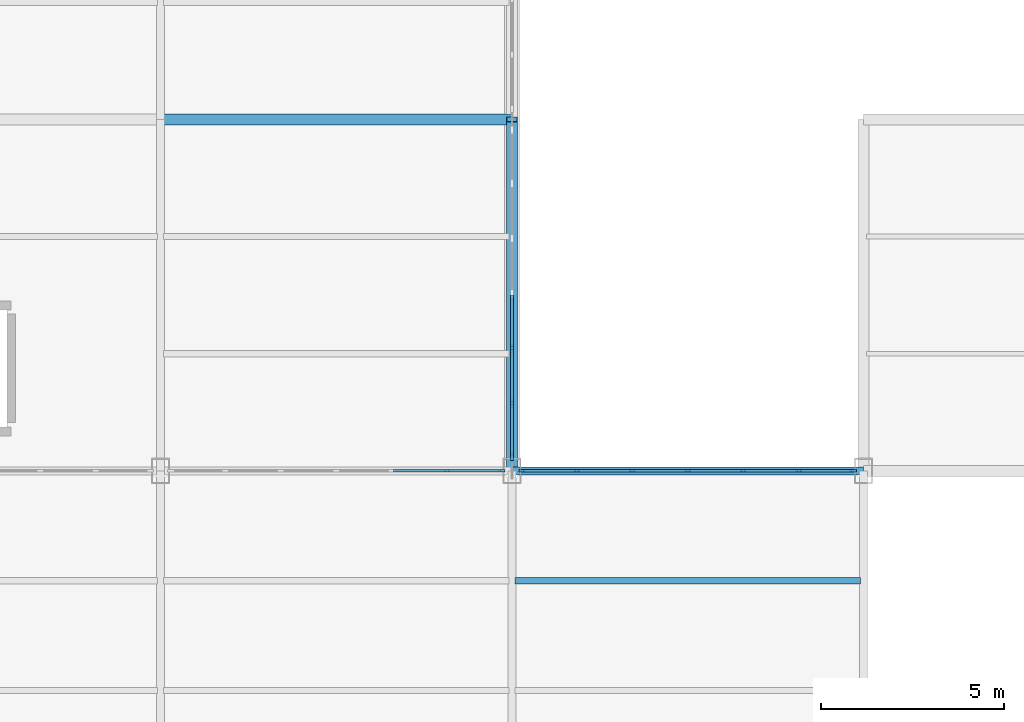
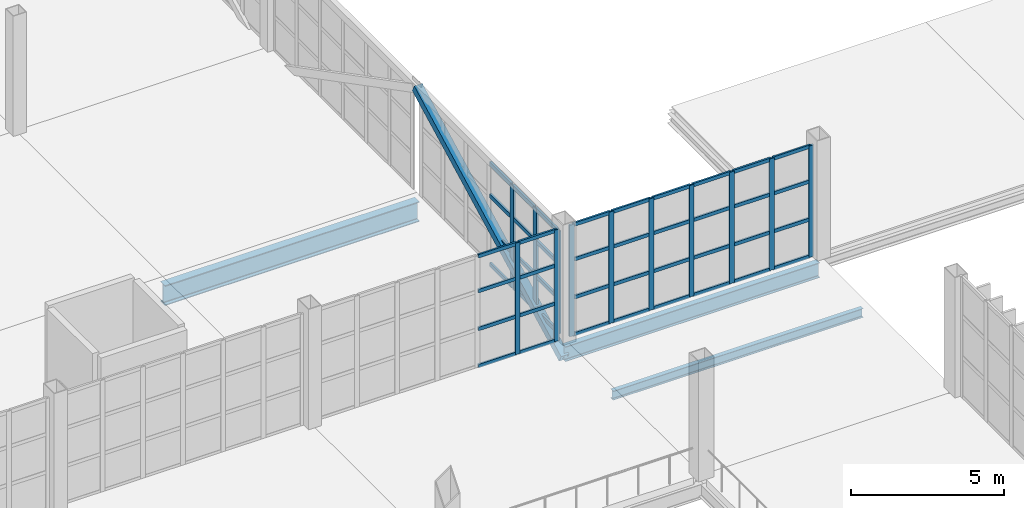
# One storey, part 47 of 120: 57 members, 3 beams, 3 elements without a shape of their own.
"""IFC4 building model written with IfcOpenShell, lengths in metres."""

from ifc_helpers import new_model, si_unit, direction, frame, origin, origin_2d, place, context, subcontext, project, spatial, rectangle, hollow_rectangle, i_section, extrude, material, layer, layer_set, material_profile, profile_set, type_object, element, aggregate, save


model = new_model("IFC4")

# Units and contexts
model_context = context("Model", 3, precision=1e-05, world=origin(), true_north=direction((0.0, 1.0)))
body_context = subcontext(model_context, "Body", "Model", "MODEL_VIEW")
ifc_project = project(units=[si_unit("LENGTHUNIT", "METRE"), si_unit("AREAUNIT", "SQUARE_METRE"), si_unit("VOLUMEUNIT", "CUBIC_METRE"), si_unit("PLANEANGLEUNIT", "RADIAN"), si_unit("MASSUNIT", "GRAM", prefix="KILO")], contexts=[model_context])

# Site, building, storey
site_placement = place(None, origin())
site = spatial("IfcSite", under=ifc_project, at=site_placement, CompositionType="ELEMENT")
building_placement = place(site_placement, origin())
building = spatial("IfcBuilding", under=site, at=building_placement, Name="Zarnetskaya Central Station", CompositionType="ELEMENT")
storey_placement = place(building_placement, frame((0.0, 0.0, 5.39990234375)))
storey = spatial("IfcBuildingStorey", under=building, at=storey_placement, Name="L01", CompositionType="ELEMENT", Elevation=5.39990234375)

# Beam
ifc_material_1 = material(Name="Steel S355", Category="steel")
ifc_material_profile_1 = material_profile(ifc_material_1, i_section(OverallWidth=0.169921875, OverallDepth=0.360107421875, WebThickness=0.008056640625, FlangeThickness=0.0126953125, FilletRadius=0.01806640625, at=origin_2d()), Name="IPE 360")
ifc_profile_set_1 = profile_set([ifc_material_profile_1], Name="Steel S355")
beam_type_1 = type_object("IfcBeamType", Name="BM-SEC-360", PredefinedType="BEAM", material=ifc_profile_set_1)
beam_1_placement = place(storey_placement, frame((115.280029296875, 64.199951171875, -0.4599609375), z_axis=(1.0, 0.0, 0.0), x_axis=(0.0, 1.0, 0.0)))
element("IfcBeam", 1, at=beam_1_placement, inside=storey, type_object=beam_type_1, Name="Secondary floor beam SEC-L01-Z512-NP-89-2", PredefinedType="BEAM", context=body_context, shape_type="SweptSolid", body=[
    extrude(i_section(OverallWidth=0.169921875, OverallDepth=0.360107421875, WebThickness=0.008056640625, FlangeThickness=0.0126953125, FilletRadius=0.01806640625, at=origin_2d()), origin(), (0.0, 0.0, 1.0), 9.43994140625),
])

# Curtain wall, members
ifc_material_2 = material(Name="Low-E insulated glass", Category="glass")
ifc_layer_1 = layer(ifc_material_2, 0.159912109375, Name="Low-E insulated glass", Category="glass")
ifc_layer_set_1 = layer_set([ifc_layer_1], Name="Low-E insulated glass")
curtain_wall_type_1 = type_object("IfcCurtainWallType", Name="CW-SYS-16", PredefinedType="USERDEFINED", material=ifc_layer_set_1)
curtain_wall_1_placement = place(storey_placement, origin())
curtain_wall_1 = element("IfcCurtainWall", 2, at=curtain_wall_1_placement, inside=storey, type_object=curtain_wall_type_1, Name="Curtain wall CW-L01-085", ObjectType="CURTAIN WALL", PredefinedType="USERDEFINED")
ifc_material_3 = material(Name="Anodised aluminium", Category="aluminium")
ifc_material_profile_2 = material_profile(ifc_material_3, rectangle(XDim=0.070068359375, YDim=0.179931640625, at=origin_2d()), Name="ALU MULL 70x180")
ifc_profile_set_2 = profile_set([ifc_material_profile_2], Name="Anodised aluminium")
member_type_1 = type_object("IfcMemberType", Name="CW-MULL-180", PredefinedType="MULLION", material=ifc_profile_set_2)
member_1_placement = place(storey_placement, frame((113.433349609375, 67.199951171875, 0.0), z_axis=(0.0, 0.0, 1.0), x_axis=(0.0, 1.0, 0.0)))
member_1 = element("IfcMember", 3, at=member_1_placement, type_object=member_type_1, Name="CW-11 mullion 6", PredefinedType="MULLION", context=body_context, shape_type="SweptSolid", body=[
    extrude(rectangle(XDim=0.070068359375, YDim=0.179931640625, at=origin_2d()), origin(), (0.0, 0.0, 1.0), 4.4501953125),
])
member_2_placement = place(storey_placement, frame((114.9150390625, 67.199951171875, 0.0), z_axis=(0.0, 0.0, 1.0), x_axis=(0.0, 1.0, 0.0)))
member_2 = element("IfcMember", 4, at=member_2_placement, type_object=member_type_1, Name="CW-11 mullion 7", PredefinedType="MULLION", context=body_context, shape_type="SweptSolid", body=[
    extrude(rectangle(XDim=0.070068359375, YDim=0.179931640625, at=origin_2d()), origin(), (0.0, 0.0, 1.0), 4.4501953125),
])

ifc_layer_2 = layer(ifc_material_2, 0.1640625, Name="Low-E insulated glass", Category="glass")
ifc_layer_set_2 = layer_set([ifc_layer_2], Name="Low-E insulated glass")
curtain_wall_type_2 = type_object("IfcCurtainWallType", Name="CW-SYS-17", PredefinedType="USERDEFINED", material=ifc_layer_set_2)
curtain_wall_2_placement = place(storey_placement, origin())
curtain_wall_2 = element("IfcCurtainWall", 5, at=curtain_wall_2_placement, inside=storey, type_object=curtain_wall_type_2, Name="Curtain wall CW-L01-087", ObjectType="CURTAIN WALL", PredefinedType="USERDEFINED")
member_3_placement = place(storey_placement, frame((115.485107421875, 67.199951171875, 0.0), z_axis=(0.0, 0.0, 1.0), x_axis=(0.0, 1.0, 0.0)))
member_3 = element("IfcMember", 6, at=member_3_placement, type_object=member_type_1, Name="CW-03 mullion 1", PredefinedType="MULLION", context=body_context, shape_type="SweptSolid", body=[
    extrude(rectangle(XDim=0.070068359375, YDim=0.179931640625, at=origin_2d()), origin(), (0.0, 0.0, 1.0), 4.4501953125),
])
member_4_placement = place(storey_placement, frame((116.966552734375, 67.199951171875, 0.0), z_axis=(0.0, 0.0, 1.0), x_axis=(0.0, 1.0, 0.0)))
member_4 = element("IfcMember", 7, at=member_4_placement, type_object=member_type_1, Name="CW-03 mullion 2", PredefinedType="MULLION", context=body_context, shape_type="SweptSolid", body=[
    extrude(rectangle(XDim=0.070068359375, YDim=0.179931640625, at=origin_2d()), origin(), (0.0, 0.0, 1.0), 4.4501953125),
])
member_5_placement = place(storey_placement, frame((118.4833984375, 67.199951171875, 0.0), z_axis=(0.0, 0.0, 1.0), x_axis=(0.0, 1.0, 0.0)))
member_5 = element("IfcMember", 8, at=member_5_placement, type_object=member_type_1, Name="CW-03 mullion 3", PredefinedType="MULLION", context=body_context, shape_type="SweptSolid", body=[
    extrude(rectangle(XDim=0.070068359375, YDim=0.179931640625, at=origin_2d()), origin(), (0.0, 0.0, 1.0), 4.4501953125),
])
member_6_placement = place(storey_placement, frame((120.0, 67.199951171875, 0.0), z_axis=(0.0, 0.0, 1.0), x_axis=(0.0, 1.0, 0.0)))
member_6 = element("IfcMember", 9, at=member_6_placement, type_object=member_type_1, Name="CW-03 mullion 4", PredefinedType="MULLION", context=body_context, shape_type="SweptSolid", body=[
    extrude(rectangle(XDim=0.070068359375, YDim=0.179931640625, at=origin_2d()), origin(), (0.0, 0.0, 1.0), 4.4501953125),
])
member_7_placement = place(storey_placement, frame((121.5166015625, 67.199951171875, 0.0), z_axis=(0.0, 0.0, 1.0), x_axis=(0.0, 1.0, 0.0)))
member_7 = element("IfcMember", 10, at=member_7_placement, type_object=member_type_1, Name="CW-03 mullion 5", PredefinedType="MULLION", context=body_context, shape_type="SweptSolid", body=[
    extrude(rectangle(XDim=0.070068359375, YDim=0.179931640625, at=origin_2d()), origin(), (0.0, 0.0, 1.0), 4.4501953125),
])
member_8_placement = place(storey_placement, frame((123.033447265625, 67.199951171875, 0.0), z_axis=(0.0, 0.0, 1.0), x_axis=(0.0, 1.0, 0.0)))
member_8 = element("IfcMember", 11, at=member_8_placement, type_object=member_type_1, Name="CW-03 mullion 6", PredefinedType="MULLION", context=body_context, shape_type="SweptSolid", body=[
    extrude(rectangle(XDim=0.070068359375, YDim=0.179931640625, at=origin_2d()), origin(), (0.0, 0.0, 1.0), 4.4501953125),
])
member_9_placement = place(storey_placement, frame((124.514892578125, 67.199951171875, 0.0), z_axis=(0.0, 0.0, 1.0), x_axis=(0.0, 1.0, 0.0)))
member_9 = element("IfcMember", 12, at=member_9_placement, type_object=member_type_1, Name="CW-03 mullion 7", PredefinedType="MULLION", context=body_context, shape_type="SweptSolid", body=[
    extrude(rectangle(XDim=0.070068359375, YDim=0.179931640625, at=origin_2d()), origin(), (0.0, 0.0, 1.0), 4.4501953125),
])

ifc_layer_3 = layer(ifc_material_2, 0.172119140625, Name="Low-E insulated glass", Category="glass")
ifc_layer_set_3 = layer_set([ifc_layer_3], Name="Low-E insulated glass")
curtain_wall_type_3 = type_object("IfcCurtainWallType", Name="CW-SYS-09", PredefinedType="USERDEFINED", material=ifc_layer_set_3)
curtain_wall_3_placement = place(storey_placement, origin())
curtain_wall_3 = element("IfcCurtainWall", 13, at=curtain_wall_3_placement, inside=storey, type_object=curtain_wall_type_3, Name="Curtain wall CW-L01-162", ObjectType="CURTAIN WALL", PredefinedType="USERDEFINED")
ifc_material_profile_3 = material_profile(ifc_material_3, rectangle(XDim=0.080078125, YDim=0.219970703125, at=origin_2d()), Name="ALU MULL 80x220")
ifc_profile_set_3 = profile_set([ifc_material_profile_3], Name="Anodised aluminium")
member_type_2 = type_object("IfcMemberType", Name="CW-MULL-220", PredefinedType="MULLION", material=ifc_profile_set_3)
member_10_placement = place(storey_placement, frame((115.199951171875, 70.550048828125, 0.0), z_axis=(0.0, 0.0, 1.0), x_axis=(1.0, 0.0, 0.0)))
member_10 = element("IfcMember", 14, at=member_10_placement, type_object=member_type_2, Name="CW-07 mullion 5", PredefinedType="MULLION", context=body_context, shape_type="SweptSolid", body=[
    extrude(rectangle(XDim=0.080078125, YDim=0.219970703125, at=origin_2d()), origin(), (0.0, 0.0, 1.0), 4.10009765625),
])
member_11_placement = place(storey_placement, frame((115.199951171875, 69.050048828125, 0.0), z_axis=(0.0, 0.0, 1.0), x_axis=(1.0, 0.0, 0.0)))
member_11 = element("IfcMember", 15, at=member_11_placement, type_object=member_type_2, Name="CW-07 mullion 6", PredefinedType="MULLION", context=body_context, shape_type="SweptSolid", body=[
    extrude(rectangle(XDim=0.080078125, YDim=0.219970703125, at=origin_2d()), origin(), (0.0, 0.0, 1.0), 4.10009765625),
])
member_12_placement = place(storey_placement, frame((115.199951171875, 67.590087890625, 0.0), z_axis=(0.0, 0.0, 1.0), x_axis=(1.0, 0.0, 0.0)))
member_12 = element("IfcMember", 16, at=member_12_placement, type_object=member_type_2, Name="CW-07 mullion 7", PredefinedType="MULLION", context=body_context, shape_type="SweptSolid", body=[
    extrude(rectangle(XDim=0.080078125, YDim=0.219970703125, at=origin_2d()), origin(), (0.0, 0.0, 1.0), 4.10009765625),
])

# Member
ifc_material_profile_4 = material_profile(ifc_material_3, rectangle(XDim=0.070068359375, YDim=0.139892578125, at=origin_2d()), Name="ALU TRAN 70x140")
ifc_profile_set_4 = profile_set([ifc_material_profile_4], Name="Anodised aluminium")
member_type_3 = type_object("IfcMemberType", Name="CW-TRAN-140", PredefinedType="USERDEFINED", material=ifc_profile_set_4)
member_13_placement = place(storey_placement, frame((111.95166015625, 67.199951171875, 0.03515625), z_axis=(1.0, 0.0, 0.0), x_axis=(0.0, 1.0, 0.0)))
member_13 = element("IfcMember", 17, at=member_13_placement, type_object=member_type_3, Name="CW-11 transom 5.1", ObjectType="TRANSOM", PredefinedType="USERDEFINED", context=body_context, shape_type="SweptSolid", body=[
    extrude(rectangle(XDim=0.070068359375, YDim=0.139892578125, at=origin_2d()), origin(), (0.0, 0.0, 1.0), 1.44677734375),
])

member_14_placement = place(storey_placement, frame((111.95166015625, 67.199951171875, 1.51318359375), z_axis=(1.0, 0.0, 0.0), x_axis=(0.0, 1.0, 0.0)))
member_14 = element("IfcMember", 18, at=member_14_placement, type_object=member_type_3, Name="CW-11 transom 5.2", ObjectType="TRANSOM", PredefinedType="USERDEFINED", context=body_context, shape_type="SweptSolid", body=[
    extrude(rectangle(XDim=0.070068359375, YDim=0.139892578125, at=origin_2d()), origin(), (0.0, 0.0, 1.0), 1.44677734375),
])

member_15_placement = place(storey_placement, frame((111.95166015625, 67.199951171875, 3.026123046875), z_axis=(1.0, 0.0, 0.0), x_axis=(0.0, 1.0, 0.0)))
member_15 = element("IfcMember", 19, at=member_15_placement, type_object=member_type_3, Name="CW-11 transom 5.3", ObjectType="TRANSOM", PredefinedType="USERDEFINED", context=body_context, shape_type="SweptSolid", body=[
    extrude(rectangle(XDim=0.070068359375, YDim=0.139892578125, at=origin_2d()), origin(), (0.0, 0.0, 1.0), 1.44677734375),
])

member_16_placement = place(storey_placement, frame((111.95166015625, 67.199951171875, 4.4150390625), z_axis=(1.0, 0.0, 0.0), x_axis=(0.0, 1.0, 0.0)))
member_16 = element("IfcMember", 20, at=member_16_placement, type_object=member_type_3, Name="CW-11 transom 5.4", ObjectType="TRANSOM", PredefinedType="USERDEFINED", context=body_context, shape_type="SweptSolid", body=[
    extrude(rectangle(XDim=0.070068359375, YDim=0.139892578125, at=origin_2d()), origin(), (0.0, 0.0, 1.0), 1.44677734375),
])

member_17_placement = place(storey_placement, frame((113.46826171875, 67.199951171875, 0.03515625), z_axis=(1.0, 0.0, 0.0), x_axis=(0.0, 1.0, 0.0)))
member_17 = element("IfcMember", 21, at=member_17_placement, type_object=member_type_3, Name="CW-11 transom 6.1", ObjectType="TRANSOM", PredefinedType="USERDEFINED", context=body_context, shape_type="SweptSolid", body=[
    extrude(rectangle(XDim=0.070068359375, YDim=0.139892578125, at=origin_2d()), origin(), (0.0, 0.0, 1.0), 1.41162109375),
])

member_18_placement = place(storey_placement, frame((113.46826171875, 67.199951171875, 1.51318359375), z_axis=(1.0, 0.0, 0.0), x_axis=(0.0, 1.0, 0.0)))
member_18 = element("IfcMember", 22, at=member_18_placement, type_object=member_type_3, Name="CW-11 transom 6.2", ObjectType="TRANSOM", PredefinedType="USERDEFINED", context=body_context, shape_type="SweptSolid", body=[
    extrude(rectangle(XDim=0.070068359375, YDim=0.139892578125, at=origin_2d()), origin(), (0.0, 0.0, 1.0), 1.41162109375),
])

member_19_placement = place(storey_placement, frame((113.46826171875, 67.199951171875, 3.026123046875), z_axis=(1.0, 0.0, 0.0), x_axis=(0.0, 1.0, 0.0)))
member_19 = element("IfcMember", 23, at=member_19_placement, type_object=member_type_3, Name="CW-11 transom 6.3", ObjectType="TRANSOM", PredefinedType="USERDEFINED", context=body_context, shape_type="SweptSolid", body=[
    extrude(rectangle(XDim=0.070068359375, YDim=0.139892578125, at=origin_2d()), origin(), (0.0, 0.0, 1.0), 1.41162109375),
])

member_20_placement = place(storey_placement, frame((113.46826171875, 67.199951171875, 4.4150390625), z_axis=(1.0, 0.0, 0.0), x_axis=(0.0, 1.0, 0.0)))
member_20 = element("IfcMember", 24, at=member_20_placement, type_object=member_type_3, Name="CW-11 transom 6.4", ObjectType="TRANSOM", PredefinedType="USERDEFINED", context=body_context, shape_type="SweptSolid", body=[
    extrude(rectangle(XDim=0.070068359375, YDim=0.139892578125, at=origin_2d()), origin(), (0.0, 0.0, 1.0), 1.41162109375),
])

aggregate(curtain_wall_1, [member_1, member_2, member_13, member_14, member_15, member_16, member_17, member_18, member_19, member_20])

member_21_placement = place(storey_placement, frame((115.52001953125, 67.199951171875, 0.03515625), z_axis=(1.0, 0.0, 0.0), x_axis=(0.0, 1.0, 0.0)))
member_21 = element("IfcMember", 25, at=member_21_placement, type_object=member_type_3, Name="CW-03 transom 1.1", ObjectType="TRANSOM", PredefinedType="USERDEFINED", context=body_context, shape_type="SweptSolid", body=[
    extrude(rectangle(XDim=0.070068359375, YDim=0.139892578125, at=origin_2d()), origin(), (0.0, 0.0, 1.0), 1.41162109375),
])

member_22_placement = place(storey_placement, frame((115.52001953125, 67.199951171875, 1.51318359375), z_axis=(1.0, 0.0, 0.0), x_axis=(0.0, 1.0, 0.0)))
member_22 = element("IfcMember", 26, at=member_22_placement, type_object=member_type_3, Name="CW-03 transom 1.2", ObjectType="TRANSOM", PredefinedType="USERDEFINED", context=body_context, shape_type="SweptSolid", body=[
    extrude(rectangle(XDim=0.070068359375, YDim=0.139892578125, at=origin_2d()), origin(), (0.0, 0.0, 1.0), 1.41162109375),
])

member_23_placement = place(storey_placement, frame((115.52001953125, 67.199951171875, 3.026123046875), z_axis=(1.0, 0.0, 0.0), x_axis=(0.0, 1.0, 0.0)))
member_23 = element("IfcMember", 27, at=member_23_placement, type_object=member_type_3, Name="CW-03 transom 1.3", ObjectType="TRANSOM", PredefinedType="USERDEFINED", context=body_context, shape_type="SweptSolid", body=[
    extrude(rectangle(XDim=0.070068359375, YDim=0.139892578125, at=origin_2d()), origin(), (0.0, 0.0, 1.0), 1.41162109375),
])

member_24_placement = place(storey_placement, frame((115.52001953125, 67.199951171875, 4.4150390625), z_axis=(1.0, 0.0, 0.0), x_axis=(0.0, 1.0, 0.0)))
member_24 = element("IfcMember", 28, at=member_24_placement, type_object=member_type_3, Name="CW-03 transom 1.4", ObjectType="TRANSOM", PredefinedType="USERDEFINED", context=body_context, shape_type="SweptSolid", body=[
    extrude(rectangle(XDim=0.070068359375, YDim=0.139892578125, at=origin_2d()), origin(), (0.0, 0.0, 1.0), 1.41162109375),
])

member_25_placement = place(storey_placement, frame((117.001708984375, 67.199951171875, 0.03515625), z_axis=(1.0, 0.0, 0.0), x_axis=(0.0, 1.0, 0.0)))
member_25 = element("IfcMember", 29, at=member_25_placement, type_object=member_type_3, Name="CW-03 transom 2.1", ObjectType="TRANSOM", PredefinedType="USERDEFINED", context=body_context, shape_type="SweptSolid", body=[
    extrude(rectangle(XDim=0.070068359375, YDim=0.139892578125, at=origin_2d()), origin(), (0.0, 0.0, 1.0), 1.446533203125),
])

member_26_placement = place(storey_placement, frame((117.001708984375, 67.199951171875, 1.51318359375), z_axis=(1.0, 0.0, 0.0), x_axis=(0.0, 1.0, 0.0)))
member_26 = element("IfcMember", 30, at=member_26_placement, type_object=member_type_3, Name="CW-03 transom 2.2", ObjectType="TRANSOM", PredefinedType="USERDEFINED", context=body_context, shape_type="SweptSolid", body=[
    extrude(rectangle(XDim=0.070068359375, YDim=0.139892578125, at=origin_2d()), origin(), (0.0, 0.0, 1.0), 1.446533203125),
])

member_27_placement = place(storey_placement, frame((117.001708984375, 67.199951171875, 3.026123046875), z_axis=(1.0, 0.0, 0.0), x_axis=(0.0, 1.0, 0.0)))
member_27 = element("IfcMember", 31, at=member_27_placement, type_object=member_type_3, Name="CW-03 transom 2.3", ObjectType="TRANSOM", PredefinedType="USERDEFINED", context=body_context, shape_type="SweptSolid", body=[
    extrude(rectangle(XDim=0.070068359375, YDim=0.139892578125, at=origin_2d()), origin(), (0.0, 0.0, 1.0), 1.446533203125),
])

member_28_placement = place(storey_placement, frame((117.001708984375, 67.199951171875, 4.4150390625), z_axis=(1.0, 0.0, 0.0), x_axis=(0.0, 1.0, 0.0)))
member_28 = element("IfcMember", 32, at=member_28_placement, type_object=member_type_3, Name="CW-03 transom 2.4", ObjectType="TRANSOM", PredefinedType="USERDEFINED", context=body_context, shape_type="SweptSolid", body=[
    extrude(rectangle(XDim=0.070068359375, YDim=0.139892578125, at=origin_2d()), origin(), (0.0, 0.0, 1.0), 1.446533203125),
])

member_29_placement = place(storey_placement, frame((118.518310546875, 67.199951171875, 0.03515625), z_axis=(1.0, 0.0, 0.0), x_axis=(0.0, 1.0, 0.0)))
member_29 = element("IfcMember", 33, at=member_29_placement, type_object=member_type_3, Name="CW-03 transom 3.1", ObjectType="TRANSOM", PredefinedType="USERDEFINED", context=body_context, shape_type="SweptSolid", body=[
    extrude(rectangle(XDim=0.070068359375, YDim=0.139892578125, at=origin_2d()), origin(), (0.0, 0.0, 1.0), 1.44677734375),
])

member_30_placement = place(storey_placement, frame((118.518310546875, 67.199951171875, 1.51318359375), z_axis=(1.0, 0.0, 0.0), x_axis=(0.0, 1.0, 0.0)))
member_30 = element("IfcMember", 34, at=member_30_placement, type_object=member_type_3, Name="CW-03 transom 3.2", ObjectType="TRANSOM", PredefinedType="USERDEFINED", context=body_context, shape_type="SweptSolid", body=[
    extrude(rectangle(XDim=0.070068359375, YDim=0.139892578125, at=origin_2d()), origin(), (0.0, 0.0, 1.0), 1.44677734375),
])

member_31_placement = place(storey_placement, frame((118.518310546875, 67.199951171875, 3.026123046875), z_axis=(1.0, 0.0, 0.0), x_axis=(0.0, 1.0, 0.0)))
member_31 = element("IfcMember", 35, at=member_31_placement, type_object=member_type_3, Name="CW-03 transom 3.3", ObjectType="TRANSOM", PredefinedType="USERDEFINED", context=body_context, shape_type="SweptSolid", body=[
    extrude(rectangle(XDim=0.070068359375, YDim=0.139892578125, at=origin_2d()), origin(), (0.0, 0.0, 1.0), 1.44677734375),
])

member_32_placement = place(storey_placement, frame((118.518310546875, 67.199951171875, 4.4150390625), z_axis=(1.0, 0.0, 0.0), x_axis=(0.0, 1.0, 0.0)))
member_32 = element("IfcMember", 36, at=member_32_placement, type_object=member_type_3, Name="CW-03 transom 3.4", ObjectType="TRANSOM", PredefinedType="USERDEFINED", context=body_context, shape_type="SweptSolid", body=[
    extrude(rectangle(XDim=0.070068359375, YDim=0.139892578125, at=origin_2d()), origin(), (0.0, 0.0, 1.0), 1.44677734375),
])

member_33_placement = place(storey_placement, frame((120.034912109375, 67.199951171875, 0.03515625), z_axis=(1.0, 0.0, 0.0), x_axis=(0.0, 1.0, 0.0)))
member_33 = element("IfcMember", 37, at=member_33_placement, type_object=member_type_3, Name="CW-03 transom 4.1", ObjectType="TRANSOM", PredefinedType="USERDEFINED", context=body_context, shape_type="SweptSolid", body=[
    extrude(rectangle(XDim=0.070068359375, YDim=0.139892578125, at=origin_2d()), origin(), (0.0, 0.0, 1.0), 1.44677734375),
])

member_34_placement = place(storey_placement, frame((120.034912109375, 67.199951171875, 1.51318359375), z_axis=(1.0, 0.0, 0.0), x_axis=(0.0, 1.0, 0.0)))
member_34 = element("IfcMember", 38, at=member_34_placement, type_object=member_type_3, Name="CW-03 transom 4.2", ObjectType="TRANSOM", PredefinedType="USERDEFINED", context=body_context, shape_type="SweptSolid", body=[
    extrude(rectangle(XDim=0.070068359375, YDim=0.139892578125, at=origin_2d()), origin(), (0.0, 0.0, 1.0), 1.44677734375),
])

member_35_placement = place(storey_placement, frame((120.034912109375, 67.199951171875, 3.026123046875), z_axis=(1.0, 0.0, 0.0), x_axis=(0.0, 1.0, 0.0)))
member_35 = element("IfcMember", 39, at=member_35_placement, type_object=member_type_3, Name="CW-03 transom 4.3", ObjectType="TRANSOM", PredefinedType="USERDEFINED", context=body_context, shape_type="SweptSolid", body=[
    extrude(rectangle(XDim=0.070068359375, YDim=0.139892578125, at=origin_2d()), origin(), (0.0, 0.0, 1.0), 1.44677734375),
])

member_36_placement = place(storey_placement, frame((120.034912109375, 67.199951171875, 4.4150390625), z_axis=(1.0, 0.0, 0.0), x_axis=(0.0, 1.0, 0.0)))
member_36 = element("IfcMember", 40, at=member_36_placement, type_object=member_type_3, Name="CW-03 transom 4.4", ObjectType="TRANSOM", PredefinedType="USERDEFINED", context=body_context, shape_type="SweptSolid", body=[
    extrude(rectangle(XDim=0.070068359375, YDim=0.139892578125, at=origin_2d()), origin(), (0.0, 0.0, 1.0), 1.44677734375),
])

member_37_placement = place(storey_placement, frame((121.5517578125, 67.199951171875, 0.03515625), z_axis=(1.0, 0.0, 0.0), x_axis=(0.0, 1.0, 0.0)))
member_37 = element("IfcMember", 41, at=member_37_placement, type_object=member_type_3, Name="CW-03 transom 5.1", ObjectType="TRANSOM", PredefinedType="USERDEFINED", context=body_context, shape_type="SweptSolid", body=[
    extrude(rectangle(XDim=0.070068359375, YDim=0.139892578125, at=origin_2d()), origin(), (0.0, 0.0, 1.0), 1.446533203125),
])

member_38_placement = place(storey_placement, frame((121.5517578125, 67.199951171875, 1.51318359375), z_axis=(1.0, 0.0, 0.0), x_axis=(0.0, 1.0, 0.0)))
member_38 = element("IfcMember", 42, at=member_38_placement, type_object=member_type_3, Name="CW-03 transom 5.2", ObjectType="TRANSOM", PredefinedType="USERDEFINED", context=body_context, shape_type="SweptSolid", body=[
    extrude(rectangle(XDim=0.070068359375, YDim=0.139892578125, at=origin_2d()), origin(), (0.0, 0.0, 1.0), 1.446533203125),
])

member_39_placement = place(storey_placement, frame((121.5517578125, 67.199951171875, 3.026123046875), z_axis=(1.0, 0.0, 0.0), x_axis=(0.0, 1.0, 0.0)))
member_39 = element("IfcMember", 43, at=member_39_placement, type_object=member_type_3, Name="CW-03 transom 5.3", ObjectType="TRANSOM", PredefinedType="USERDEFINED", context=body_context, shape_type="SweptSolid", body=[
    extrude(rectangle(XDim=0.070068359375, YDim=0.139892578125, at=origin_2d()), origin(), (0.0, 0.0, 1.0), 1.446533203125),
])

member_40_placement = place(storey_placement, frame((121.5517578125, 67.199951171875, 4.4150390625), z_axis=(1.0, 0.0, 0.0), x_axis=(0.0, 1.0, 0.0)))
member_40 = element("IfcMember", 44, at=member_40_placement, type_object=member_type_3, Name="CW-03 transom 5.4", ObjectType="TRANSOM", PredefinedType="USERDEFINED", context=body_context, shape_type="SweptSolid", body=[
    extrude(rectangle(XDim=0.070068359375, YDim=0.139892578125, at=origin_2d()), origin(), (0.0, 0.0, 1.0), 1.446533203125),
])

member_41_placement = place(storey_placement, frame((123.068359375, 67.199951171875, 0.03515625), z_axis=(1.0, 0.0, 0.0), x_axis=(0.0, 1.0, 0.0)))
member_41 = element("IfcMember", 45, at=member_41_placement, type_object=member_type_3, Name="CW-03 transom 6.1", ObjectType="TRANSOM", PredefinedType="USERDEFINED", context=body_context, shape_type="SweptSolid", body=[
    extrude(rectangle(XDim=0.070068359375, YDim=0.139892578125, at=origin_2d()), origin(), (0.0, 0.0, 1.0), 1.41162109375),
])

member_42_placement = place(storey_placement, frame((123.068359375, 67.199951171875, 1.51318359375), z_axis=(1.0, 0.0, 0.0), x_axis=(0.0, 1.0, 0.0)))
member_42 = element("IfcMember", 46, at=member_42_placement, type_object=member_type_3, Name="CW-03 transom 6.2", ObjectType="TRANSOM", PredefinedType="USERDEFINED", context=body_context, shape_type="SweptSolid", body=[
    extrude(rectangle(XDim=0.070068359375, YDim=0.139892578125, at=origin_2d()), origin(), (0.0, 0.0, 1.0), 1.41162109375),
])

member_43_placement = place(storey_placement, frame((123.068359375, 67.199951171875, 3.026123046875), z_axis=(1.0, 0.0, 0.0), x_axis=(0.0, 1.0, 0.0)))
member_43 = element("IfcMember", 47, at=member_43_placement, type_object=member_type_3, Name="CW-03 transom 6.3", ObjectType="TRANSOM", PredefinedType="USERDEFINED", context=body_context, shape_type="SweptSolid", body=[
    extrude(rectangle(XDim=0.070068359375, YDim=0.139892578125, at=origin_2d()), origin(), (0.0, 0.0, 1.0), 1.41162109375),
])

member_44_placement = place(storey_placement, frame((123.068359375, 67.199951171875, 4.4150390625), z_axis=(1.0, 0.0, 0.0), x_axis=(0.0, 1.0, 0.0)))
member_44 = element("IfcMember", 48, at=member_44_placement, type_object=member_type_3, Name="CW-03 transom 6.4", ObjectType="TRANSOM", PredefinedType="USERDEFINED", context=body_context, shape_type="SweptSolid", body=[
    extrude(rectangle(XDim=0.070068359375, YDim=0.139892578125, at=origin_2d()), origin(), (0.0, 0.0, 1.0), 1.41162109375),
])

aggregate(curtain_wall_2, [member_3, member_4, member_5, member_6, member_7, member_8, member_9, member_21, member_22, member_23, member_24, member_25, member_26, member_27, member_28, member_29, member_30, member_31, member_32, member_33, member_34, member_35, member_36, member_37, member_38, member_39, member_40, member_41, member_42, member_43, member_44])

ifc_material_profile_5 = material_profile(ifc_material_3, rectangle(XDim=0.080078125, YDim=0.159912109375, at=origin_2d()), Name="ALU TRAN 80x160")
ifc_profile_set_5 = profile_set([ifc_material_profile_5], Name="Anodised aluminium")
member_type_4 = type_object("IfcMemberType", Name="CW-TRAN-160", PredefinedType="USERDEFINED", material=ifc_profile_set_5)
member_45_placement = place(storey_placement, frame((115.199951171875, 72.010009765625, 0.0400390625), z_axis=(0.0, -1.0, 0.0), x_axis=(1.0, 0.0, 0.0)))
member_45 = element("IfcMember", 49, at=member_45_placement, type_object=member_type_4, Name="CW-07 transom 4.1", ObjectType="TRANSOM", PredefinedType="USERDEFINED", context=body_context, shape_type="SweptSolid", body=[
    extrude(rectangle(XDim=0.080078125, YDim=0.159912109375, at=origin_2d()), origin(), (0.0, 0.0, 1.0), 1.419921875),
])

member_46_placement = place(storey_placement, frame((115.199951171875, 72.010009765625, 1.39404296875), z_axis=(0.0, -1.0, 0.0), x_axis=(1.0, 0.0, 0.0)))
member_46 = element("IfcMember", 50, at=member_46_placement, type_object=member_type_4, Name="CW-07 transom 4.2", ObjectType="TRANSOM", PredefinedType="USERDEFINED", context=body_context, shape_type="SweptSolid", body=[
    extrude(rectangle(XDim=0.080078125, YDim=0.159912109375, at=origin_2d()), origin(), (0.0, 0.0, 1.0), 1.419921875),
])

member_47_placement = place(storey_placement, frame((115.199951171875, 72.010009765625, 2.7880859375), z_axis=(0.0, -1.0, 0.0), x_axis=(1.0, 0.0, 0.0)))
member_47 = element("IfcMember", 51, at=member_47_placement, type_object=member_type_4, Name="CW-07 transom 4.3", ObjectType="TRANSOM", PredefinedType="USERDEFINED", context=body_context, shape_type="SweptSolid", body=[
    extrude(rectangle(XDim=0.080078125, YDim=0.159912109375, at=origin_2d()), origin(), (0.0, 0.0, 1.0), 1.419921875),
])

member_48_placement = place(storey_placement, frame((115.199951171875, 72.010009765625, 4.06005859375), z_axis=(0.0, -1.0, 0.0), x_axis=(1.0, 0.0, 0.0)))
member_48 = element("IfcMember", 52, at=member_48_placement, type_object=member_type_4, Name="CW-07 transom 4.4", ObjectType="TRANSOM", PredefinedType="USERDEFINED", context=body_context, shape_type="SweptSolid", body=[
    extrude(rectangle(XDim=0.080078125, YDim=0.159912109375, at=origin_2d()), origin(), (0.0, 0.0, 1.0), 1.419921875),
])

member_49_placement = place(storey_placement, frame((115.199951171875, 70.510009765625, 0.0400390625), z_axis=(0.0, -1.0, 0.0), x_axis=(1.0, 0.0, 0.0)))
member_49 = element("IfcMember", 53, at=member_49_placement, type_object=member_type_4, Name="CW-07 transom 5.1", ObjectType="TRANSOM", PredefinedType="USERDEFINED", context=body_context, shape_type="SweptSolid", body=[
    extrude(rectangle(XDim=0.080078125, YDim=0.159912109375, at=origin_2d()), origin(), (0.0, 0.0, 1.0), 1.419921875),
])

member_50_placement = place(storey_placement, frame((115.199951171875, 70.510009765625, 1.39404296875), z_axis=(0.0, -1.0, 0.0), x_axis=(1.0, 0.0, 0.0)))
member_50 = element("IfcMember", 54, at=member_50_placement, type_object=member_type_4, Name="CW-07 transom 5.2", ObjectType="TRANSOM", PredefinedType="USERDEFINED", context=body_context, shape_type="SweptSolid", body=[
    extrude(rectangle(XDim=0.080078125, YDim=0.159912109375, at=origin_2d()), origin(), (0.0, 0.0, 1.0), 1.419921875),
])

member_51_placement = place(storey_placement, frame((115.199951171875, 70.510009765625, 2.7880859375), z_axis=(0.0, -1.0, 0.0), x_axis=(1.0, 0.0, 0.0)))
member_51 = element("IfcMember", 55, at=member_51_placement, type_object=member_type_4, Name="CW-07 transom 5.3", ObjectType="TRANSOM", PredefinedType="USERDEFINED", context=body_context, shape_type="SweptSolid", body=[
    extrude(rectangle(XDim=0.080078125, YDim=0.159912109375, at=origin_2d()), origin(), (0.0, 0.0, 1.0), 1.419921875),
])

member_52_placement = place(storey_placement, frame((115.199951171875, 70.510009765625, 4.06005859375), z_axis=(0.0, -1.0, 0.0), x_axis=(1.0, 0.0, 0.0)))
member_52 = element("IfcMember", 56, at=member_52_placement, type_object=member_type_4, Name="CW-07 transom 5.4", ObjectType="TRANSOM", PredefinedType="USERDEFINED", context=body_context, shape_type="SweptSolid", body=[
    extrude(rectangle(XDim=0.080078125, YDim=0.159912109375, at=origin_2d()), origin(), (0.0, 0.0, 1.0), 1.419921875),
])

member_53_placement = place(storey_placement, frame((115.199951171875, 69.010009765625, 0.0400390625), z_axis=(0.0, -1.0, 0.0), x_axis=(1.0, 0.0, 0.0)))
member_53 = element("IfcMember", 57, at=member_53_placement, type_object=member_type_4, Name="CW-07 transom 6.1", ObjectType="TRANSOM", PredefinedType="USERDEFINED", context=body_context, shape_type="SweptSolid", body=[
    extrude(rectangle(XDim=0.080078125, YDim=0.159912109375, at=origin_2d()), origin(), (0.0, 0.0, 1.0), 1.380126953125),
])

member_54_placement = place(storey_placement, frame((115.199951171875, 69.010009765625, 1.39404296875), z_axis=(0.0, -1.0, 0.0), x_axis=(1.0, 0.0, 0.0)))
member_54 = element("IfcMember", 58, at=member_54_placement, type_object=member_type_4, Name="CW-07 transom 6.2", ObjectType="TRANSOM", PredefinedType="USERDEFINED", context=body_context, shape_type="SweptSolid", body=[
    extrude(rectangle(XDim=0.080078125, YDim=0.159912109375, at=origin_2d()), origin(), (0.0, 0.0, 1.0), 1.380126953125),
])

member_55_placement = place(storey_placement, frame((115.199951171875, 69.010009765625, 2.7880859375), z_axis=(0.0, -1.0, 0.0), x_axis=(1.0, 0.0, 0.0)))
member_55 = element("IfcMember", 59, at=member_55_placement, type_object=member_type_4, Name="CW-07 transom 6.3", ObjectType="TRANSOM", PredefinedType="USERDEFINED", context=body_context, shape_type="SweptSolid", body=[
    extrude(rectangle(XDim=0.080078125, YDim=0.159912109375, at=origin_2d()), origin(), (0.0, 0.0, 1.0), 1.380126953125),
])

member_56_placement = place(storey_placement, frame((115.199951171875, 69.010009765625, 4.06005859375), z_axis=(0.0, -1.0, 0.0), x_axis=(1.0, 0.0, 0.0)))
member_56 = element("IfcMember", 60, at=member_56_placement, type_object=member_type_4, Name="CW-07 transom 6.4", ObjectType="TRANSOM", PredefinedType="USERDEFINED", context=body_context, shape_type="SweptSolid", body=[
    extrude(rectangle(XDim=0.080078125, YDim=0.159912109375, at=origin_2d()), origin(), (0.0, 0.0, 1.0), 1.380126953125),
])

aggregate(curtain_wall_3, [member_10, member_11, member_12, member_45, member_46, member_47, member_48, member_49, member_50, member_51, member_52, member_53, member_54, member_55, member_56])

# Beams
ifc_material_profile_6 = material_profile(ifc_material_1, i_section(OverallWidth=0.300048828125, OverallDepth=0.800048828125, WebThickness=0.017578125, FlangeThickness=0.032958984375, FilletRadius=0.030029296875, at=origin_2d()), Name="HEB 800")
ifc_profile_set_6 = profile_set([ifc_material_profile_6], Name="Steel S355")
beam_type_2 = type_object("IfcBeamType", Name="GD-BRG-800", PredefinedType="USERDEFINED", material=ifc_profile_set_6)
beam_2_placement = place(storey_placement, frame((105.60009765625, 76.800048828125, -0.679931640625), z_axis=(1.0, 0.0, 0.0), x_axis=(0.0, 1.0, 0.0)))
element("IfcBeam", 61, at=beam_2_placement, inside=storey, type_object=beam_type_2, Name="Grid girder GX-L01-10-MN", ObjectType="GIRDER", PredefinedType="USERDEFINED", context=body_context, shape_type="SweptSolid", body=[
    extrude(i_section(OverallWidth=0.300048828125, OverallDepth=0.800048828125, WebThickness=0.017578125, FlangeThickness=0.032958984375, FilletRadius=0.030029296875, at=origin_2d()), origin(), (0.0, 0.0, 1.0), 9.599853515625),
])
ifc_material_profile_7 = material_profile(ifc_material_1, i_section(OverallWidth=0.219970703125, OverallDepth=0.60009765625, WebThickness=0.011962890625, FlangeThickness=0.01904296875, FilletRadius=0.02392578125, at=origin_2d()), Name="IPE 600")
ifc_profile_set_7 = profile_set([ifc_material_profile_7], Name="Steel S355")
beam_type_3 = type_object("IfcBeamType", Name="GD-FLR-600", PredefinedType="USERDEFINED", material=ifc_profile_set_7)
beam_3_placement = place(storey_placement, frame((115.199951171875, 67.199951171875, -0.579833984375), z_axis=(1.0, 0.0, 0.0), x_axis=(0.0, 1.0, 0.0)))
element("IfcBeam", 62, at=beam_3_placement, inside=storey, type_object=beam_type_3, Name="Grid girder GX-L01-9-NP", ObjectType="GIRDER", PredefinedType="USERDEFINED", context=body_context, shape_type="SweptSolid", body=[
    extrude(i_section(OverallWidth=0.219970703125, OverallDepth=0.60009765625, WebThickness=0.011962890625, FlangeThickness=0.01904296875, FilletRadius=0.02392578125, at=origin_2d()), origin(), (0.0, 0.0, 1.0), 9.60009765625),
])

# Member
ifc_material_profile_8 = material_profile(ifc_material_1, hollow_rectangle(XDim=0.300048828125, YDim=0.300048828125, WallThickness=0.01611328125, at=origin_2d()), Name="SHS 300x300x16")
ifc_profile_set_8 = profile_set([ifc_material_profile_8], Name="Steel S355")
member_type_5 = type_object("IfcMemberType", Name="MB-XFER-DIAG", PredefinedType="BRACE", material=ifc_profile_set_8)
member_57_placement = place(storey_placement, frame((115.199951171875, 67.199951171875, -0.77978515625), z_axis=(0.0, 0.887673200705, 0.460473982707), x_axis=(-1.0, 0.0, 0.0)))
element("IfcMember", 63, at=member_57_placement, inside=storey, type_object=member_type_5, Name="Transfer truss N 9-11 diagonal 1", PredefinedType="BRACE", context=body_context, shape_type="SweptSolid", body=[
    extrude(hollow_rectangle(XDim=0.300048828125, YDim=0.300048828125, WallThickness=0.01611328125, at=origin_2d()), origin(), (0.0, 0.0, 1.0), 10.81494140625),
])

save(model, "model.ifc")
